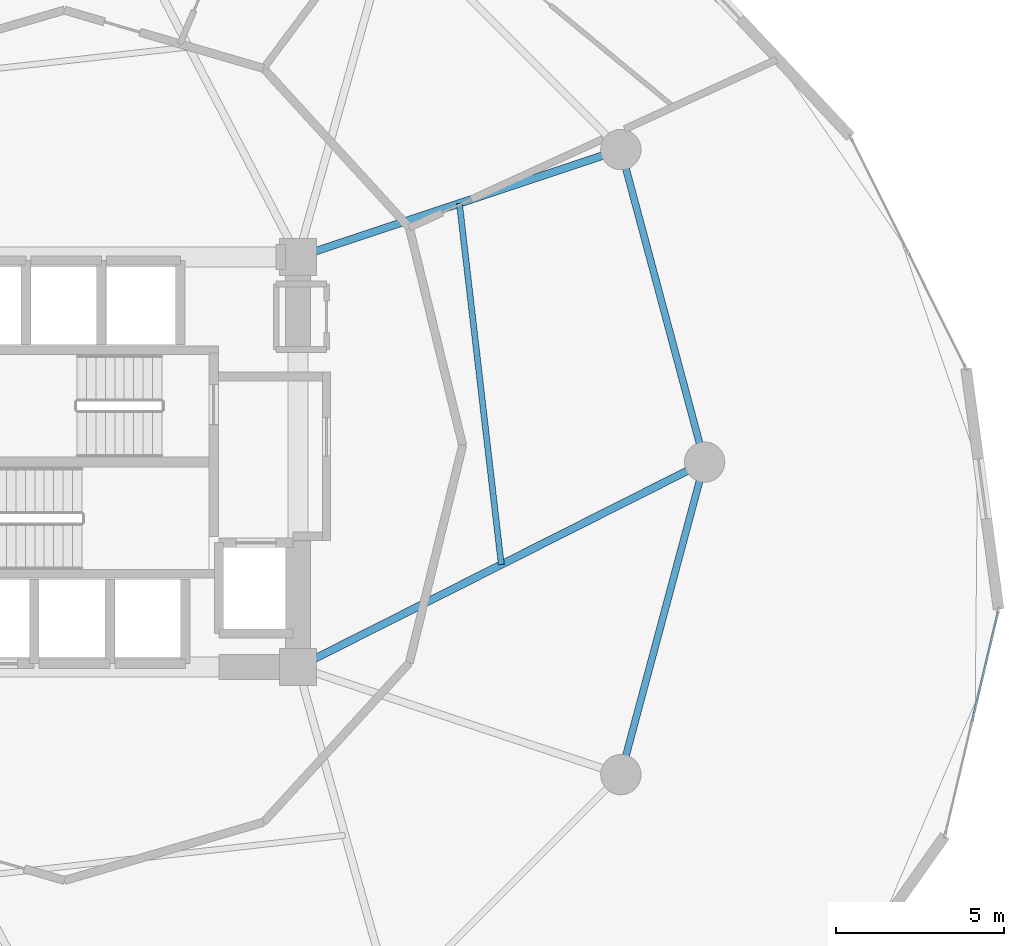
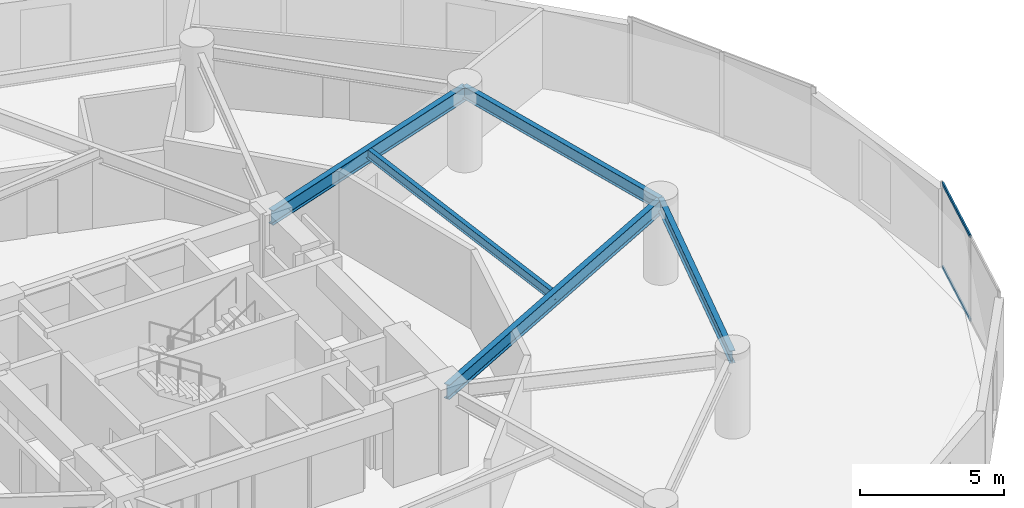
# One storey, part 10 of 24: 5 beams, 2 members, 1 element without a shape of its own.
"""IFC4 building model written with IfcOpenShell, lengths in metres."""

from ifc_helpers import new_model, si_unit, direction, frame, origin, origin_2d, place, context, subcontext, project, spatial, hollow_rectangle, i_section, extrude, source, transform, mapped, material, layer, layer_set, material_profile, profile_set, type_object, element, aggregate, save


model = new_model("IFC4")

# Units and contexts
model_context = context("Model", 3, precision=1e-05, world=origin(), true_north=direction((0.0, 1.0)))
body_context = subcontext(model_context, "Body", "Model", "MODEL_VIEW")
ifc_project = project(units=[si_unit("LENGTHUNIT", "METRE"), si_unit("AREAUNIT", "SQUARE_METRE"), si_unit("VOLUMEUNIT", "CUBIC_METRE"), si_unit("PLANEANGLEUNIT", "RADIAN"), si_unit("MASSUNIT", "GRAM", prefix="KILO")], contexts=[model_context])

# Site, building, storey
site_placement = place(None, origin())
site = spatial("IfcSite", under=ifc_project, at=site_placement, CompositionType="ELEMENT")
building_placement = place(site_placement, origin())
building = spatial("IfcBuilding", under=site, at=building_placement, Name="Solvirekh Grand Hotel", CompositionType="ELEMENT")
storey_placement = place(building_placement, frame((0.0, 0.0, 86.0)))
storey = spatial("IfcBuildingStorey", under=building, at=storey_placement, Name="L21", CompositionType="ELEMENT", Elevation=86.0)

# Beams
ifc_material_1 = material(Name="Steel S355", Category="steel")
ifc_material_profile_1 = material_profile(ifc_material_1, i_section(OverallWidth=0.22802734375, OverallDepth=0.616943359375, WebThickness=0.012939453125, FlangeThickness=0.02001953125, FilletRadius=0.014892578125, at=origin_2d()), Name="W610X140")
ifc_profile_set_1 = profile_set([ifc_material_profile_1], Name="Steel S355")
beam_type_1 = type_object("IfcBeamType", Name="Beam_Radial_W610", PredefinedType="BEAM", material=ifc_profile_set_1)
beam_1_placement = place(storey_placement, frame((6.5, -6.10009765625, 3.031982421875), z_axis=(0.892944939011, 0.450165898191, 0.0), x_axis=(-0.450165898191, 0.892944939011, 0.0)))
element("IfcBeam", 1, at=beam_1_placement, inside=storey, type_object=beam_type_1, Name="L21 radial floor beam R01", PredefinedType="BEAM", context=body_context, shape_type="SweptSolid", body=[
    extrude(i_section(OverallWidth=0.22802734375, OverallDepth=0.616943359375, WebThickness=0.012939453125, FlangeThickness=0.02001953125, FilletRadius=0.014892578125, at=origin_2d()), origin(), (0.0, 0.0, 1.0), 13.55078125),
])
beam_2_placement = place(storey_placement, frame((6.5, 6.10009765625, 3.031982421875), z_axis=(0.948762825819, 0.315989082635, 0.0), x_axis=(-0.315989082635, 0.948762825819, 0.0)))
element("IfcBeam", 2, at=beam_2_placement, inside=storey, type_object=beam_type_1, Name="L21 radial floor beam R02", PredefinedType="BEAM", context=body_context, shape_type="SweptSolid", body=[
    extrude(i_section(OverallWidth=0.22802734375, OverallDepth=0.616943359375, WebThickness=0.012939453125, FlangeThickness=0.02001953125, FilletRadius=0.014892578125, at=origin_2d()), origin(), (0.0, 0.0, 1.0), 10.126708984375),
])
ifc_material_profile_2 = material_profile(ifc_material_1, i_section(OverallWidth=0.177978515625, OverallDepth=0.406982421875, WebThickness=0.008056640625, FlangeThickness=0.011962890625, FilletRadius=0.011962890625, at=origin_2d()), Name="W410X60")
ifc_profile_set_2 = profile_set([ifc_material_profile_2], Name="Steel S355")
beam_type_2 = type_object("IfcBeamType", Name="Joist_Floor_W410", PredefinedType="JOIST", material=ifc_profile_set_2)
beam_3_placement = place(storey_placement, frame((12.550048828125, -3.050048828125, 3.135986328125), z_axis=(-0.115144710849, 0.993348728073, 0.0), x_axis=(-0.993348728073, -0.115144710849, 0.0)))
element("IfcBeam", 3, at=beam_3_placement, inside=storey, type_object=beam_type_2, Name="L21 secondary composite floor joist 1", PredefinedType="JOIST", context=body_context, shape_type="SweptSolid", body=[
    extrude(i_section(OverallWidth=0.177978515625, OverallDepth=0.406982421875, WebThickness=0.008056640625, FlangeThickness=0.011962890625, FilletRadius=0.011962890625, at=origin_2d()), origin(), (0.0, 0.0, 1.0), 10.822021484375),
])
ifc_material_profile_3 = material_profile(ifc_material_1, i_section(OverallWidth=0.208984375, OverallDepth=0.532958984375, WebThickness=0.010009765625, FlangeThickness=0.014892578125, FilletRadius=0.013916015625, at=origin_2d()), Name="W530X92")
ifc_profile_set_3 = profile_set([ifc_material_profile_3], Name="Steel S355")
beam_type_3 = type_object("IfcBeamType", Name="Spandrel_Ring_W530", PredefinedType="SPANDREL", material=ifc_profile_set_3)
for number, where, z_axis, x_axis, name in (
    (4, (18.60009765625, 0.0, 3.073974609375), (-0.258842973314, 0.965919414426, 0.0), (-0.965919414426, -0.258842973314, 0.0), "L21 perimeter spandrel beam 1"),
    (5, (16.10791015625, -9.300048828125, 3.073974609375), (0.258842973314, 0.965919414426, 0.0), (-0.965919414426, 0.258842973314, 0.0), "L21 perimeter spandrel beam 12"),
):
    element("IfcBeam", number, at=place(storey_placement, frame(where, z_axis=z_axis, x_axis=x_axis)), inside=storey, type_object=beam_type_3, Name=name, PredefinedType="SPANDREL", context=body_context, shape_type="SweptSolid", body=[
        extrude(i_section(OverallWidth=0.208984375, OverallDepth=0.532958984375, WebThickness=0.010009765625, FlangeThickness=0.014892578125, FilletRadius=0.013916015625, at=origin_2d()), origin(), (0.0, 0.0, 1.0), 9.628173828125),
    ])

# Curtain wall, members
ifc_material_2 = material(Name="Anodized Bronze Aluminium 6063-T6", Category="aluminium")
ifc_layer = layer(ifc_material_2, 0.18994140625)
ifc_layer_set = layer_set([ifc_layer], Name="Anodized Bronze Aluminium 6063-T6")
curtain_wall_type = type_object("IfcCurtainWallType", Name="CW_Sys2_LowZoneFlushBronzeCW", PredefinedType="NOTDEFINED", material=ifc_layer_set)
curtain_wall_placement = place(storey_placement, origin())
curtain_wall = element("IfcCurtainWall", 6, at=curtain_wall_placement, inside=storey, type_object=curtain_wall_type, Name="L21 unitised bronze-glass curtain wall CW-L21-C01", PredefinedType="NOTDEFINED")
ifc_material_profile_4 = material_profile(ifc_material_2, hollow_rectangle(XDim=0.06005859375, YDim=0.135009765625, WallThickness=0.00390625, at=origin_2d()), Name="ALU RHS 135X60X4")
ifc_profile_set_4 = profile_set([ifc_material_profile_4], Name="Anodized Bronze Aluminium 6063-T6")
member_type = type_object("IfcMemberType", Name="CWTransom_Sys2", PredefinedType="USERDEFINED", material=ifc_profile_set_4)
shared_shape = source(origin(), body_context, "Body", "SweptSolid", [
    extrude(hollow_rectangle(XDim=0.06005859375, YDim=0.135009765625, WallThickness=0.00390625, at=origin_2d()), origin(), (0.0, 0.0, 1.0), 3.357666015625),
])
member_1_placement = place(storey_placement, frame((26.56005859375, -7.71533203125, 0.030029296875), z_axis=(0.230489937006, 0.973074708817, 0.0), x_axis=(-0.973074708817, 0.230489937006, 0.0)))
member_1 = element("IfcMember", 7, at=member_1_placement, type_object=member_type, Name="U02 transom 2.1", ObjectType="TRANSOM", PredefinedType="USERDEFINED", context=body_context, shape_type="MappedRepresentation", body=[
    mapped(shared_shape, transform((0.0, 0.0, 0.0), x_axis=(1.0, 0.0, 0.0), y_axis=(0.0, 1.0, 0.0), z_axis=(0.0, 0.0, 1.0), scale=1.0)),
])
member_2_placement = place(storey_placement, frame((26.56005859375, -7.71533203125, 3.570068359375), z_axis=(0.230489937006, 0.973074708817, 0.0), x_axis=(-0.973074708817, 0.230489937006, 0.0)))
member_2 = element("IfcMember", 8, at=member_2_placement, type_object=member_type, Name="U02 transom 2.2", ObjectType="TRANSOM", PredefinedType="USERDEFINED", context=body_context, shape_type="MappedRepresentation", body=[
    mapped(shared_shape, transform((0.0, 0.0, 0.0), x_axis=(1.0, 0.0, 0.0), y_axis=(0.0, 1.0, 0.0), z_axis=(0.0, 0.0, 1.0), scale=1.0)),
])
aggregate(curtain_wall, [member_1, member_2])

save(model, "model.ifc")
